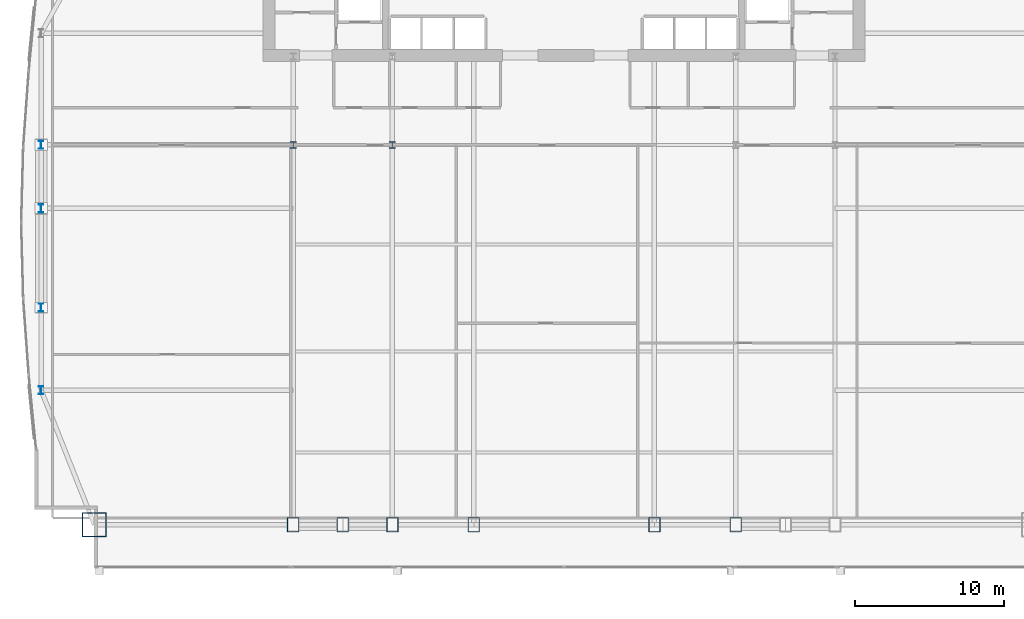
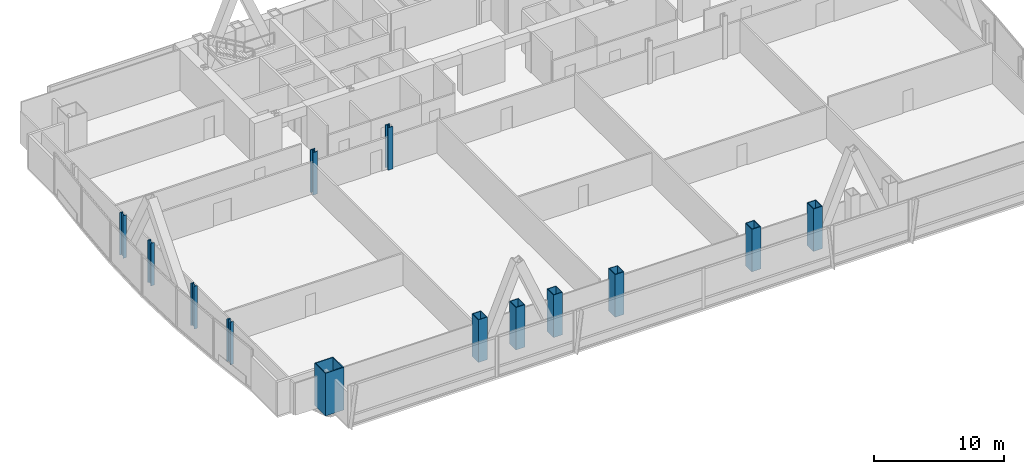
# One storey, part 1 of 33: 13 columns.
"""IFC4 building model written with IfcOpenShell, lengths in metres."""

from ifc_helpers import new_model, si_unit, direction, frame, origin, origin_2d, place, context, subcontext, project, spatial, hollow_rectangle, i_section, extrude, material, material_profile, profile_set, type_object, element, save


model = new_model("IFC4")

# Units and contexts
model_context = context("Model", 3, precision=1e-05, world=origin(), true_north=direction((0.0, 1.0)))
body_context = subcontext(model_context, "Body", "Model", "MODEL_VIEW")
ifc_project = project(units=[si_unit("LENGTHUNIT", "METRE"), si_unit("AREAUNIT", "SQUARE_METRE"), si_unit("VOLUMEUNIT", "CUBIC_METRE"), si_unit("PLANEANGLEUNIT", "RADIAN"), si_unit("MASSUNIT", "GRAM", prefix="KILO")], contexts=[model_context])

# Site, building, storey
site_placement = place(None, origin())
site = spatial("IfcSite", under=ifc_project, at=site_placement, CompositionType="ELEMENT")
building_placement = place(site_placement, origin())
building = spatial("IfcBuilding", under=site, at=building_placement, Name="Khoronbel Lancet Exchange", CompositionType="ELEMENT")
storey_placement = place(building_placement, frame((0.0, 0.0, 73.800048828125)))
storey = spatial("IfcBuildingStorey", under=building, at=storey_placement, Name="L17", CompositionType="ELEMENT", Elevation=73.800048828125)

# Columns
ifc_material_1 = material(Name="Steel S460", Category="steel")
ifc_material_profile_1 = material_profile(ifc_material_1, hollow_rectangle(XDim=0.800048828125, YDim=1.0, WallThickness=0.054931640625, at=origin_2d()), Name="BOX 1000x800x55")
ifc_profile_set_1 = profile_set([ifc_material_profile_1], Name="Steel S460")
column_type_1 = type_object("IfcColumnType", Name="COL-EC1", PredefinedType="COLUMN", material=ifc_profile_set_1)
for number, where, z_axis, x_axis, name in (
    (1, (18.22509765625, 10.14990234375, 0.0), (0.0, 0.0, 1.0), (1.0, 0.0, 0.0), "Structural column SC-W1 L17"),
    (2, (21.5625, 10.14990234375, 0.0), (0.0, 0.0, 1.0), (1.0, 0.0, 0.0), "Structural column SC-WM L17"),
    (3, (24.89990234375, 10.14990234375, 0.0), (0.0, 0.0, 1.0), (1.0, 0.0, 0.0), "Structural column SC-W2 L17"),
    (4, (30.375, 10.14990234375, 0.0), (0.0, 0.0, 1.0), (1.0, 0.0, 0.0), "Structural column SC-C1 L17"),
    (5, (42.52490234375, 10.14990234375, 0.0), (0.0, 0.0, 1.0), (1.0, 0.0, 0.0), "Structural column SC-C2 L17"),
    (6, (48.0, 10.14990234375, 0.0), (0.0, 0.0, 1.0), (1.0, 0.0, 0.0), "Structural column SC-E1 L17"),
):
    element("IfcColumn", number, at=place(storey_placement, frame(where, z_axis=z_axis, x_axis=x_axis)), inside=storey, type_object=column_type_1, Name=name, PredefinedType="COLUMN", context=body_context, shape_type="SweptSolid", body=[
        extrude(hollow_rectangle(XDim=0.800048828125, YDim=1.0, WallThickness=0.054931640625, at=origin_2d()), origin(), (0.0, 0.0, 1.0), 4.0),
    ])
ifc_material_profile_2 = material_profile(ifc_material_1, i_section(OverallWidth=0.424072265625, OverallDepth=0.47412109375, WebThickness=0.047607421875, FlangeThickness=0.076904296875, at=origin_2d()), Name="HD 400x634")
ifc_profile_set_2 = profile_set([ifc_material_profile_2], Name="Steel S460")
column_type_2 = type_object("IfcColumnType", Name="COL-IC1", PredefinedType="COLUMN", material=ifc_profile_set_2)
for number, where, z_axis, x_axis, name in (
    (7, (18.22509765625, 35.699951171875, 0.0), (0.0, 0.0, 1.0), (1.0, 0.0, 0.0), "Spine gravity column TC1 L17"),
    (8, (24.89990234375, 35.699951171875, 0.0), (0.0, 0.0, 1.0), (1.0, 0.0, 0.0), "Spine gravity column TC2 L17"),
):
    element("IfcColumn", number, at=place(storey_placement, frame(where, z_axis=z_axis, x_axis=x_axis)), inside=storey, type_object=column_type_2, Name=name, PredefinedType="COLUMN", context=body_context, shape_type="SweptSolid", body=[
        extrude(i_section(OverallWidth=0.424072265625, OverallDepth=0.47412109375, WebThickness=0.047607421875, FlangeThickness=0.076904296875, at=origin_2d()), origin(), (0.0, 0.0, 1.0), 4.0),
    ])
ifc_material_2 = material(Name="Steel S355", Category="steel")
ifc_material_profile_3 = material_profile(ifc_material_2, i_section(OverallWidth=0.300048828125, OverallDepth=0.550048828125, WebThickness=0.014892578125, FlangeThickness=0.029052734375, at=origin_2d()), Name="HEB 550")
ifc_profile_set_3 = profile_set([ifc_material_profile_3], Name="Steel S355")
column_type_3 = type_object("IfcColumnType", Name="COL-LC1", PredefinedType="COLUMN", material=ifc_profile_set_3)
for number, where, z_axis, x_axis, name in (
    (9, (1.27001953125, 19.199951171875, 0.0), (0.0, 0.0, 1.0), (1.0, 0.0, 0.0), "Structural column WC-1 L17"),
    (10, (1.27001953125, 24.75, 0.0), (0.0, 0.0, 1.0), (1.0, 0.0, 0.0), "Structural column WC-2 L17"),
    (11, (1.27001953125, 31.425048828125, 0.0), (0.0, 0.0, 1.0), (1.0, 0.0, 0.0), "Structural column WC-M L17"),
    (12, (1.27001953125, 35.699951171875, 0.0), (0.0, 0.0, 1.0), (1.0, 0.0, 0.0), "Structural column WC-3 L17"),
):
    element("IfcColumn", number, at=place(storey_placement, frame(where, z_axis=z_axis, x_axis=x_axis)), inside=storey, type_object=column_type_3, Name=name, PredefinedType="COLUMN", context=body_context, shape_type="SweptSolid", body=[
        extrude(i_section(OverallWidth=0.300048828125, OverallDepth=0.550048828125, WebThickness=0.014892578125, FlangeThickness=0.029052734375, at=origin_2d()), origin(), (0.0, 0.0, 1.0), 4.0),
    ])
ifc_material_profile_4 = material_profile(ifc_material_1, hollow_rectangle(XDim=1.64990234375, YDim=1.64990234375, WallThickness=0.074951171875, at=origin_2d()), Name="BOX 1650x1650x75")
ifc_profile_set_4 = profile_set([ifc_material_profile_4], Name="Steel S460")
column_type_4 = type_object("IfcColumnType", Name="COL-MC2", PredefinedType="COLUMN", material=ifc_profile_set_4)
column_placement = place(storey_placement, frame((4.85009765625, 10.14990234375, 0.0), z_axis=(0.0, 0.0, 1.0), x_axis=(1.0, 0.0, 0.0)))
element("IfcColumn", 13, at=column_placement, inside=storey, type_object=column_type_4, Name="Structural column MC-SW L17", PredefinedType="COLUMN", context=body_context, shape_type="SweptSolid", body=[
    extrude(hollow_rectangle(XDim=1.64990234375, YDim=1.64990234375, WallThickness=0.074951171875, at=origin_2d()), origin(), (0.0, 0.0, 1.0), 4.0),
])

save(model, "model.ifc")
